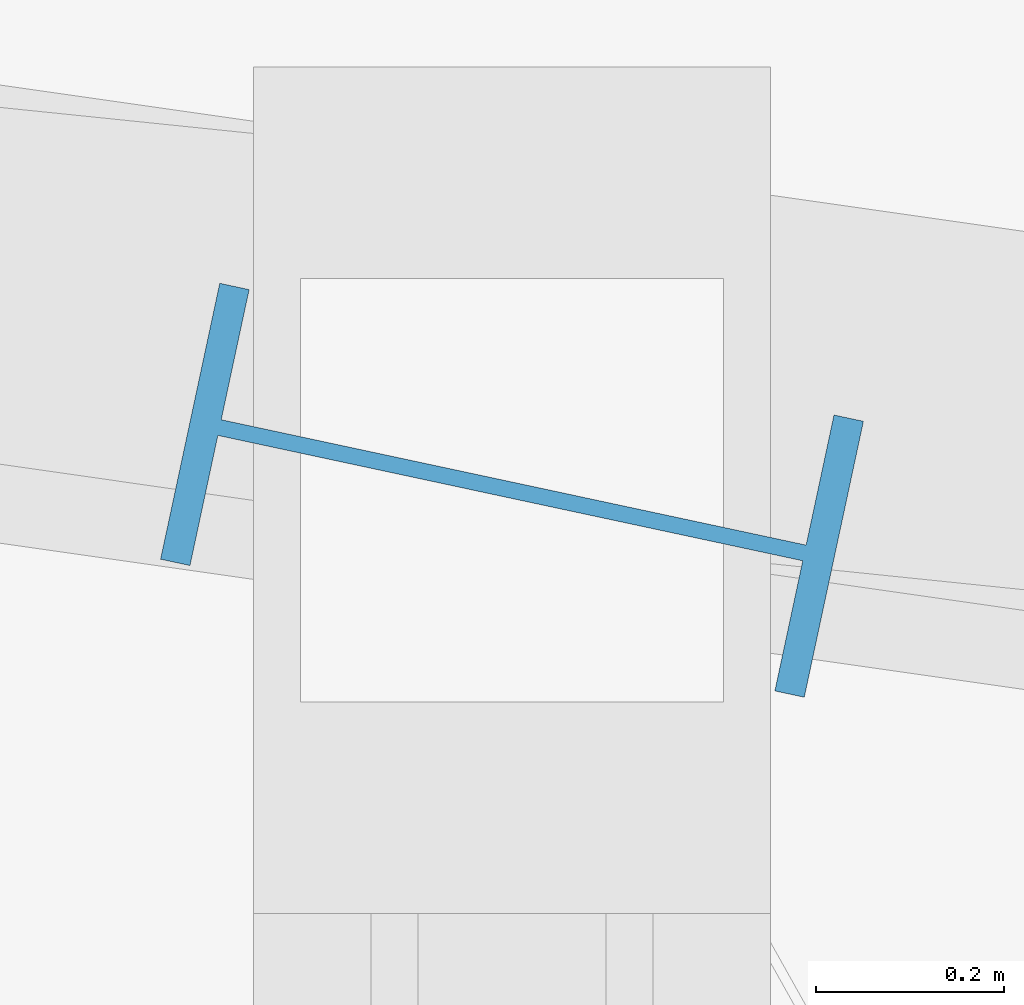
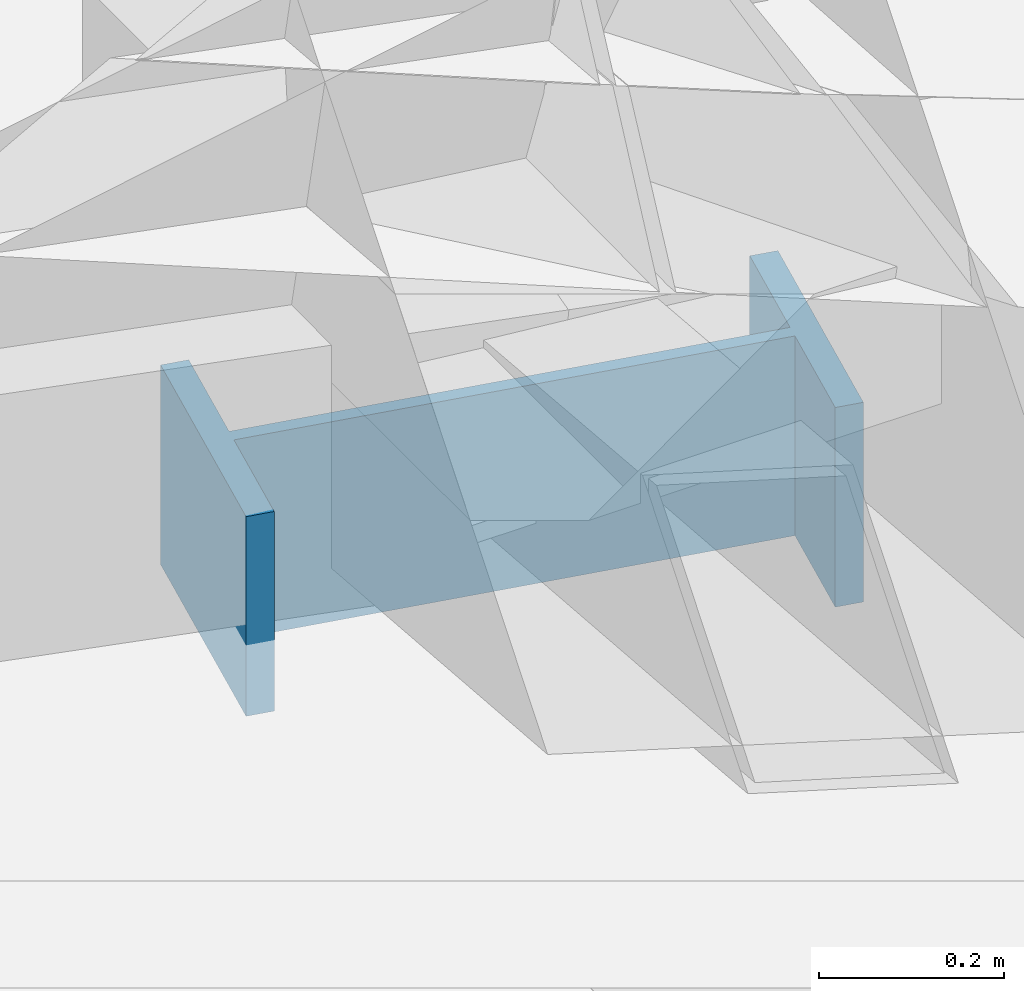
# One storey, part 7 of 68: 1 column.
"""IFC4 building model written with IfcOpenShell, lengths in metres."""

from ifc_helpers import new_model, si_unit, direction, frame, origin, origin_2d, place, context, subcontext, project, spatial, i_section, extrude, material, material_profile, profile_set, type_object, element, save


model = new_model("IFC4")

# Units and contexts
model_context = context("Model", 3, precision=1e-05, world=origin(), true_north=direction((0.0, 1.0)))
body_context = subcontext(model_context, "Body", "Model", "MODEL_VIEW")
ifc_project = project(units=[si_unit("LENGTHUNIT", "METRE"), si_unit("AREAUNIT", "SQUARE_METRE"), si_unit("VOLUMEUNIT", "CUBIC_METRE"), si_unit("PLANEANGLEUNIT", "RADIAN"), si_unit("MASSUNIT", "GRAM", prefix="KILO")], contexts=[model_context])

# Site, building, storey
site_placement = place(None, origin())
site = spatial("IfcSite", under=ifc_project, at=site_placement, CompositionType="ELEMENT")
building_placement = place(site_placement, origin())
building = spatial("IfcBuilding", under=site, at=building_placement, Name="Sohan Crest Arena", CompositionType="ELEMENT")
storey_placement = place(building_placement, frame((0.0, 0.0, 27.0)))
storey = spatial("IfcBuildingStorey", under=building, at=storey_placement, Name="RF", CompositionType="ELEMENT", Elevation=27.0)

# Column
ifc_material = material(Name="Steel S355", Category="steel")
ifc_material_profile = material_profile(ifc_material, i_section(OverallWidth=0.300048828125, OverallDepth=0.699951171875, WebThickness=0.01708984375, FlangeThickness=0.031982421875, at=origin_2d()), Name="HEB 700")
ifc_profile_set = profile_set([ifc_material_profile], Name="Steel S355")
column_type = type_object("IfcColumnType", Name="STR-COL-C21", PredefinedType="COLUMN", material=ifc_profile_set)
column_placement = place(storey_placement, frame((108.0, 124.571044921875, 0.0), z_axis=(0.0, 0.0, 1.0), x_axis=(0.209618562904, 0.977783236759, 0.0)))
element("IfcColumn", 1, at=column_placement, inside=storey, type_object=column_type, Name="Structural column COL-V2O-34-RF", PredefinedType="COLUMN", context=body_context, shape_type="SweptSolid", body=[
    extrude(i_section(OverallWidth=0.300048828125, OverallDepth=0.699951171875, WebThickness=0.01708984375, FlangeThickness=0.031982421875, at=origin_2d()), origin(), (0.0, 0.0, 1.0), 0.262939453125),
])

save(model, "model.ifc")
